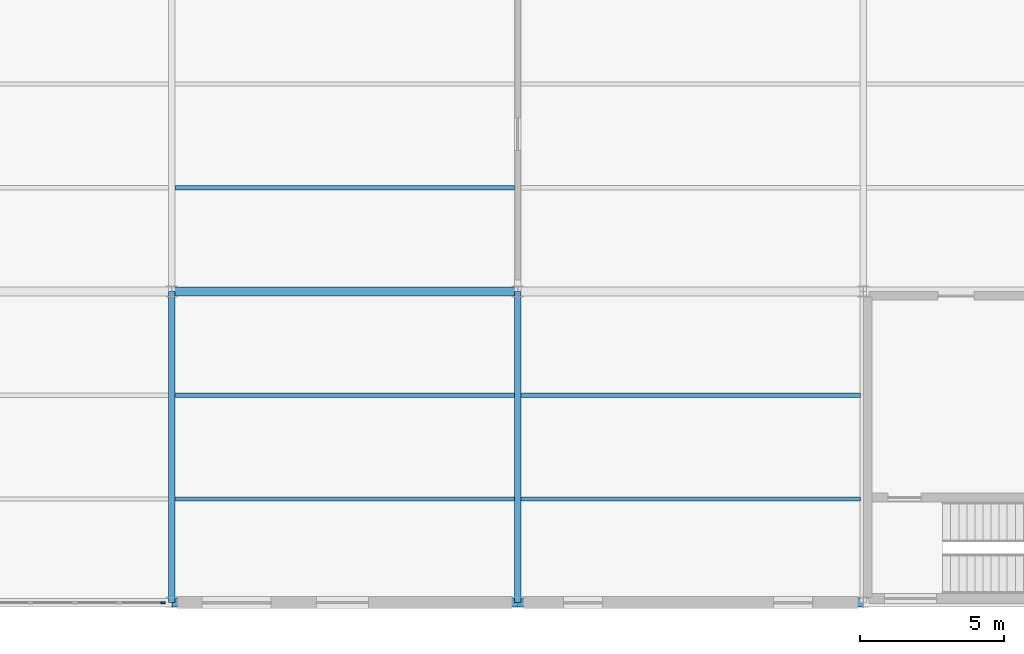
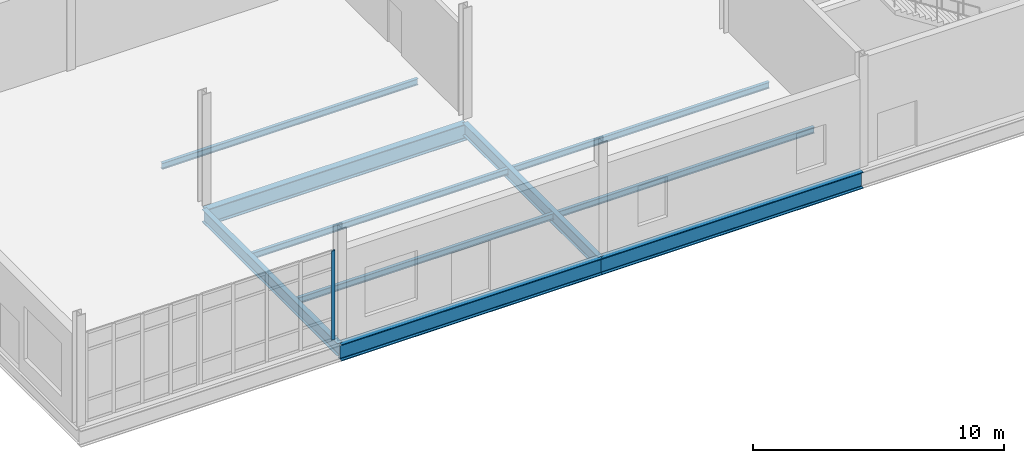
# One storey, part 63 of 111: 10 beams, 1 member, 1 element without a shape of its own.
"""IFC4 building model written with IfcOpenShell, lengths in metres."""

from ifc_helpers import new_model, si_unit, direction, frame, origin, origin_2d, place, context, subcontext, project, spatial, rectangle, i_section, extrude, material, layer, layer_set, material_profile, profile_set, type_object, element, aggregate, save


model = new_model("IFC4")

# Units and contexts
model_context = context("Model", 3, precision=1e-05, world=origin(), true_north=direction((0.0, 1.0)))
body_context = subcontext(model_context, "Body", "Model", "MODEL_VIEW")
ifc_project = project(units=[si_unit("LENGTHUNIT", "METRE"), si_unit("AREAUNIT", "SQUARE_METRE"), si_unit("VOLUMEUNIT", "CUBIC_METRE"), si_unit("PLANEANGLEUNIT", "RADIAN"), si_unit("MASSUNIT", "GRAM", prefix="KILO"), si_unit("THERMODYNAMICTEMPERATUREUNIT", "KELVIN"), si_unit("POWERUNIT", "WATT")], contexts=[model_context])

# Site, building, storey
site_placement = place(None, origin())
site = spatial("IfcSite", under=ifc_project, at=site_placement, CompositionType="ELEMENT")
building_placement = place(site_placement, origin())
building = spatial("IfcBuilding", under=site, at=building_placement, Name="Tembeka Court Mobility Hub", CompositionType="ELEMENT")
storey_placement = place(building_placement, origin())
storey = spatial("IfcBuildingStorey", under=building, at=storey_placement, Name="L00", CompositionType="ELEMENT", Elevation=0.0)

# Beams
ifc_material_1 = material(Name="Steel S355", Category="steel")
ifc_material_profile_1 = material_profile(ifc_material_1, i_section(OverallWidth=0.22900390625, OverallDepth=0.612060546875, WebThickness=0.011962890625, FlangeThickness=0.01953125, FilletRadius=0.0126953125, at=origin_2d()), Name="UKB 610x229x125")
ifc_profile_set_1 = profile_set([ifc_material_profile_1], Name="Steel S355")
beam_type_1 = type_object("IfcBeamType", Name="BM-G02", PredefinedType="USERDEFINED", material=ifc_profile_set_1)
for number, where, z_axis, x_axis, name in (
    (1, (128.39990234375, 0.0, -0.5859375), (0.0, 1.0, 0.0), (-1.0, 0.0, 0.0), "Beam G02 (BM-L00-Y0284)"),
    (2, (140.39990234375, 0.0, -0.5859375), (0.0, 1.0, 0.0), (-1.0, 0.0, 0.0), "Beam G02 (BM-L00-Y0292)"),
):
    element("IfcBeam", number, at=place(storey_placement, frame(where, z_axis=z_axis, x_axis=x_axis)), inside=storey, type_object=beam_type_1, Name=name, ObjectType="GIRDER", PredefinedType="USERDEFINED", context=body_context, shape_type="SweptSolid", body=[
        extrude(i_section(OverallWidth=0.22900390625, OverallDepth=0.612060546875, WebThickness=0.011962890625, FlangeThickness=0.01953125, FilletRadius=0.0126953125, at=origin_2d()), origin(), (0.0, 0.0, 1.0), 10.800048828125),
    ])
ifc_material_profile_2 = material_profile(ifc_material_1, i_section(OverallWidth=0.300048828125, OverallDepth=0.800048828125, WebThickness=0.017578125, FlangeThickness=0.034912109375, FilletRadius=0.030029296875, at=origin_2d()), Name="HEB 800")
ifc_profile_set_2 = profile_set([ifc_material_profile_2], Name="Steel S355")
beam_type_2 = type_object("IfcBeamType", Name="BM-G04", PredefinedType="USERDEFINED", material=ifc_profile_set_2)
for number, where, z_axis, x_axis, name in (
    (3, (128.39990234375, 0.0, -0.679931640625), (1.0, 0.0, 0.0), (0.0, 1.0, 0.0), "Beam G04 (BM-L00-X0012)"),
    (4, (140.39990234375, 0.0, -0.679931640625), (1.0, 0.0, 0.0), (0.0, 1.0, 0.0), "Beam G04 (BM-L00-X0013)"),
    (5, (128.39990234375, 10.800048828125, -0.679931640625), (1.0, 0.0, 0.0), (0.0, 1.0, 0.0), "Beam G04 (BM-L00-X0020)"),
):
    element("IfcBeam", number, at=place(storey_placement, frame(where, z_axis=z_axis, x_axis=x_axis)), inside=storey, type_object=beam_type_2, Name=name, ObjectType="GIRDER", PredefinedType="USERDEFINED", context=body_context, shape_type="SweptSolid", body=[
        extrude(i_section(OverallWidth=0.300048828125, OverallDepth=0.800048828125, WebThickness=0.017578125, FlangeThickness=0.034912109375, FilletRadius=0.030029296875, at=origin_2d()), origin(), (0.0, 0.0, 1.0), 12.0),
    ])
ifc_material_profile_3 = material_profile(ifc_material_1, i_section(OverallWidth=0.14990234375, OverallDepth=0.300048828125, WebThickness=0.007080078125, FlangeThickness=0.0107421875, FilletRadius=0.014892578125, at=origin_2d()), Name="IPE 300")
ifc_profile_set_3 = profile_set([ifc_material_profile_3], Name="Steel S355")
beam_type_3 = type_object("IfcBeamType", Name="BM-J04", PredefinedType="JOIST", material=ifc_profile_set_3)
for number, where, z_axis, x_axis, name in (
    (6, (128.509521484375, 3.60009765625, -0.429931640625), (1.0, 0.0, 0.0), (0.0, 1.0, 0.0), "Beam J04 (JST-L00-0537)"),
    (7, (128.509521484375, 7.199951171875, -0.429931640625), (1.0, 0.0, 0.0), (0.0, 1.0, 0.0), "Beam J04 (JST-L00-0538)"),
    (8, (128.509521484375, 14.39990234375, -0.429931640625), (1.0, 0.0, 0.0), (0.0, 1.0, 0.0), "Beam J04 (JST-L00-0539)"),
    (9, (140.509521484375, 3.60009765625, -0.429931640625), (1.0, 0.0, 0.0), (0.0, 1.0, 0.0), "Beam J04 (JST-L00-0552)"),
    (10, (140.509521484375, 7.199951171875, -0.429931640625), (1.0, 0.0, 0.0), (0.0, 1.0, 0.0), "Beam J04 (JST-L00-0553)"),
):
    element("IfcBeam", number, at=place(storey_placement, frame(where, z_axis=z_axis, x_axis=x_axis)), inside=storey, type_object=beam_type_3, Name=name, PredefinedType="JOIST", context=body_context, shape_type="SweptSolid", body=[
        extrude(i_section(OverallWidth=0.14990234375, OverallDepth=0.300048828125, WebThickness=0.007080078125, FlangeThickness=0.0107421875, FilletRadius=0.014892578125, at=origin_2d()), origin(), (0.0, 0.0, 1.0), 11.781005859375),
    ])

# Curtain wall, member
ifc_material_2 = material(Name="Anodised aluminium 6063-T6", Category="aluminium")
ifc_layer = layer(ifc_material_2, 0.159912109375)
ifc_layer_set = layer_set([ifc_layer], Name="Anodised aluminium 6063-T6")
curtain_wall_type = type_object("IfcCurtainWallType", Name="CW-SYS32", PredefinedType="USERDEFINED", material=ifc_layer_set)
curtain_wall_placement = place(storey_placement, origin())
curtain_wall = element("IfcCurtainWall", 11, at=curtain_wall_placement, inside=storey, type_object=curtain_wall_type, Name="Unitised curtain wall CW32 (CW-L00-094)", ObjectType="UNITISED GLAZING", PredefinedType="USERDEFINED")
ifc_material_profile_4 = material_profile(ifc_material_2, rectangle(XDim=0.06494140625, YDim=0.159912109375, at=origin_2d()), Name="ALU-MUL 65x160")
ifc_profile_set_4 = profile_set([ifc_material_profile_4], Name="Anodised aluminium 6063-T6")
member_type = type_object("IfcMemberType", Name="CW-MUL01", PredefinedType="MULLION", material=ifc_profile_set_4)
member_placement = place(storey_placement, frame((128.08740234375, 0.0, 0.0), z_axis=(0.0, 0.0, 1.0), x_axis=(0.0, 1.0, 0.0)))
member = element("IfcMember", 12, at=member_placement, type_object=member_type, Name="CW32 mullion 5", PredefinedType="MULLION", context=body_context, shape_type="SweptSolid", body=[
    extrude(rectangle(XDim=0.06494140625, YDim=0.159912109375, at=origin_2d()), origin(), (0.0, 0.0, 1.0), 4.3349609375),
])
aggregate(curtain_wall, [member])

save(model, "model.ifc")
